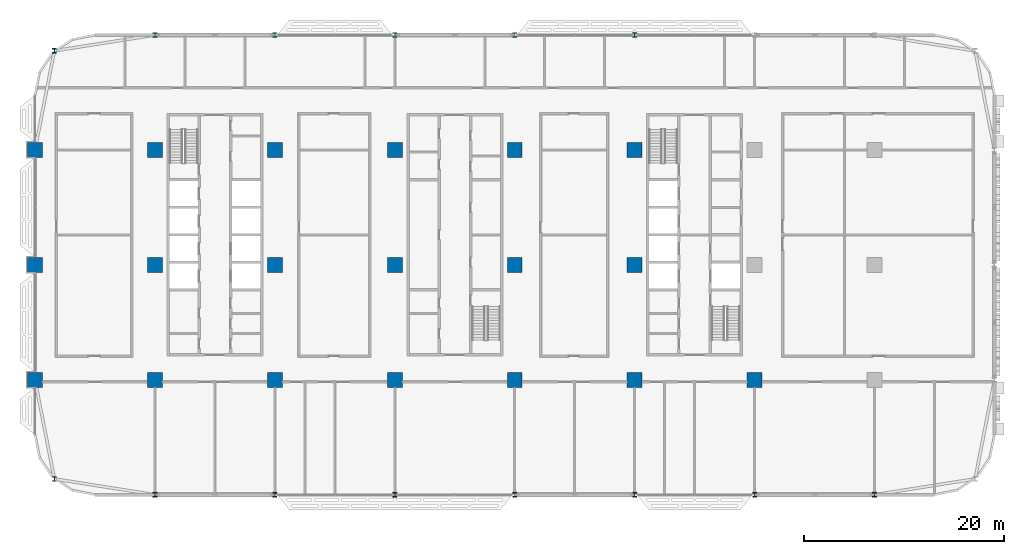
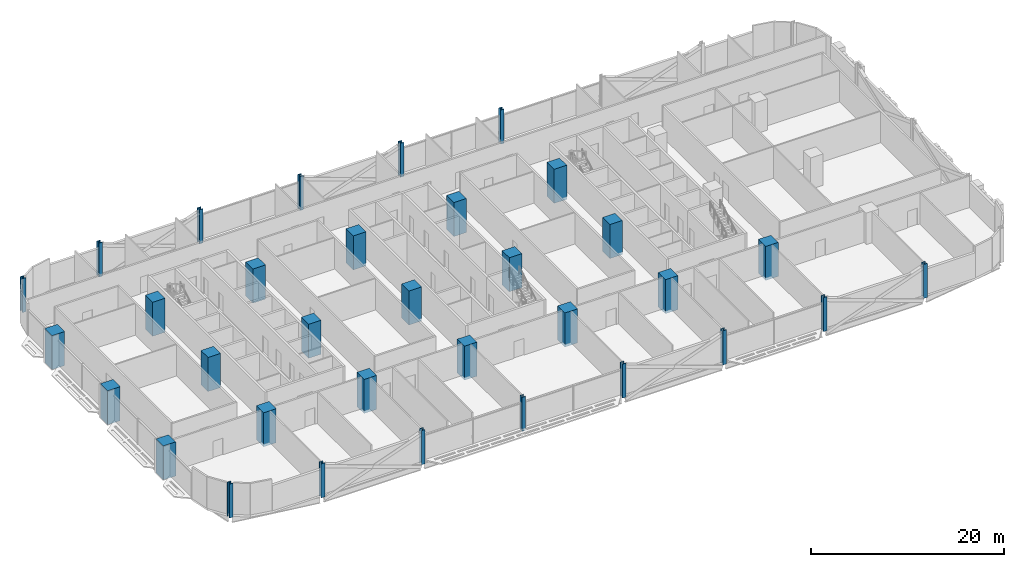
# One storey, part 1 of 29: 33 columns.
"""IFC4 building model written with IfcOpenShell, lengths in metres."""

from ifc_helpers import new_model, si_unit, direction, frame, origin, origin_2d, place, context, subcontext, project, spatial, rectangle, i_section, extrude, material, material_profile, profile_set, type_object, element, save


model = new_model("IFC4")

# Units and contexts
model_context = context("Model", 3, precision=1e-05, world=origin(), true_north=direction((0.0, 1.0)))
body_context = subcontext(model_context, "Body", "Model", "MODEL_VIEW")
ifc_project = project(units=[si_unit("LENGTHUNIT", "METRE"), si_unit("AREAUNIT", "SQUARE_METRE"), si_unit("VOLUMEUNIT", "CUBIC_METRE"), si_unit("PLANEANGLEUNIT", "RADIAN"), si_unit("MASSUNIT", "GRAM", prefix="KILO")], contexts=[model_context])

# Site, building, storey
site_placement = place(None, origin())
site = spatial("IfcSite", under=ifc_project, at=site_placement, CompositionType="ELEMENT")
building_placement = place(site_placement, origin())
building = spatial("IfcBuilding", under=site, at=building_placement, Name="Mahtab Terrace Research Tower", CompositionType="ELEMENT")
storey_placement = place(building_placement, frame((0.0, 0.0, 58.89990234375)))
storey = spatial("IfcBuildingStorey", under=building, at=storey_placement, Name="L13", CompositionType="ELEMENT", Elevation=58.89990234375)

# Columns
ifc_material_1 = material(Name="Concrete C70/85", Category="concrete")
ifc_material_profile_1 = material_profile(ifc_material_1, rectangle(XDim=1.5, YDim=1.5, at=origin_2d()), Name="RC column 1500x1500")
ifc_profile_set_1 = profile_set([ifc_material_profile_1], Name="Concrete C70/85")
column_type_1 = type_object("IfcColumnType", Name="RC column 1500x1500", PredefinedType="COLUMN", material=ifc_profile_set_1)
for number, where, z_axis, x_axis, name in (
    (1, (-42.0, -11.5, -0.33984375), (0.0, 0.0, 1.0), (1.0, 0.0, 0.0), "Column RC-1A L13"),
    (2, (-42.0, 0.0, -0.33984375), (0.0, 0.0, 1.0), (1.0, 0.0, 0.0), "Column RC-1B L13"),
    (3, (-42.0, 11.5, -0.33984375), (0.0, 0.0, 1.0), (1.0, 0.0, 0.0), "Column RC-1C L13"),
    (4, (-30.0, -11.5, -0.33984375), (0.0, 0.0, 1.0), (1.0, 0.0, 0.0), "Column RC-2A L13"),
    (5, (-30.0, 0.0, -0.33984375), (0.0, 0.0, 1.0), (1.0, 0.0, 0.0), "Column RC-2B L13"),
    (6, (-30.0, 11.5, -0.33984375), (0.0, 0.0, 1.0), (1.0, 0.0, 0.0), "Column RC-2C L13"),
    (7, (-18.0, -11.5, -0.33984375), (0.0, 0.0, 1.0), (1.0, 0.0, 0.0), "Column RC-3A L13"),
    (8, (-18.0, 0.0, -0.33984375), (0.0, 0.0, 1.0), (1.0, 0.0, 0.0), "Column RC-3B L13"),
    (9, (-18.0, 11.5, -0.33984375), (0.0, 0.0, 1.0), (1.0, 0.0, 0.0), "Column RC-3C L13"),
    (10, (-6.0, -11.5, -0.33984375), (0.0, 0.0, 1.0), (1.0, 0.0, 0.0), "Column RC-4A L13"),
    (11, (-6.0, 0.0, -0.33984375), (0.0, 0.0, 1.0), (1.0, 0.0, 0.0), "Column RC-4B L13"),
    (12, (-6.0, 11.5, -0.33984375), (0.0, 0.0, 1.0), (1.0, 0.0, 0.0), "Column RC-4C L13"),
    (13, (6.0, -11.5, -0.33984375), (0.0, 0.0, 1.0), (1.0, 0.0, 0.0), "Column RC-5A L13"),
    (14, (6.0, 0.0, -0.33984375), (0.0, 0.0, 1.0), (1.0, 0.0, 0.0), "Column RC-5B L13"),
    (15, (6.0, 11.5, -0.33984375), (0.0, 0.0, 1.0), (1.0, 0.0, 0.0), "Column RC-5C L13"),
    (16, (18.0, -11.5, -0.33984375), (0.0, 0.0, 1.0), (1.0, 0.0, 0.0), "Column RC-6A L13"),
    (17, (18.0, 0.0, -0.33984375), (0.0, 0.0, 1.0), (1.0, 0.0, 0.0), "Column RC-6B L13"),
    (18, (18.0, 11.5, -0.33984375), (0.0, 0.0, 1.0), (1.0, 0.0, 0.0), "Column RC-6C L13"),
    (19, (30.0, -11.5, -0.33984375), (0.0, 0.0, 1.0), (1.0, 0.0, 0.0), "Column RC-7A L13"),
):
    element("IfcColumn", number, at=place(storey_placement, frame(where, z_axis=z_axis, x_axis=x_axis)), inside=storey, type_object=column_type_1, Name=name, PredefinedType="COLUMN", context=body_context, shape_type="SweptSolid", body=[
        extrude(rectangle(XDim=1.5, YDim=1.5, at=origin_2d()), origin(), (0.0, 0.0, 1.0), 4.300048828125),
    ])
ifc_material_2 = material(Name="Steel ASTM A992 Gr 50", Category="steel")
ifc_material_profile_2 = material_profile(ifc_material_2, i_section(OverallWidth=0.42431640625, OverallDepth=0.47509765625, WebThickness=0.0478515625, FlangeThickness=0.0771484375, at=origin_2d()), Name="W14X426")
ifc_profile_set_2 = profile_set([ifc_material_profile_2], Name="Steel ASTM A992 Gr 50")
column_type_2 = type_object("IfcColumnType", Name="W14x426 column CS14426", PredefinedType="COLUMN", material=ifc_profile_set_2)
for number, where, z_axis, x_axis, name in (
    (20, (18.0, 23.0, -0.33984375), (0.0, 0.0, 1.0), (1.0, 0.0, 0.0), "Column SC-003 L13"),
    (21, (6.0, 23.0, -0.33984375), (0.0, 0.0, 1.0), (1.0, 0.0, 0.0), "Column SC-004 L13"),
    (22, (-6.0, 23.0, -0.33984375), (0.0, 0.0, 1.0), (1.0, 0.0, 0.0), "Column SC-005 L13"),
    (23, (-18.0, 23.0, -0.33984375), (0.0, 0.0, 1.0), (1.0, 0.0, 0.0), "Column SC-006 L13"),
    (24, (-30.0, 23.0, -0.33984375), (0.0, 0.0, 1.0), (1.0, 0.0, 0.0), "Column SC-007 L13"),
    (25, (-40.06201171875, 21.416015625, -0.33984375), (0.0, 0.0, 1.0), (1.0, 0.0, 0.0), "Column SC-024 L13"),
    (26, (-40.06201171875, -21.416015625, -0.33984375), (0.0, 0.0, 1.0), (1.0, 0.0, 0.0), "Column SC-025 L13"),
    (27, (-30.0, -23.0, -0.33984375), (0.0, 0.0, 1.0), (1.0, 0.0, 0.0), "Column SC-013 L13"),
    (28, (-18.0, -23.0, -0.33984375), (0.0, 0.0, 1.0), (1.0, 0.0, 0.0), "Column SC-014 L13"),
    (29, (-6.0, -23.0, -0.33984375), (0.0, 0.0, 1.0), (1.0, 0.0, 0.0), "Column SC-015 L13"),
    (30, (6.0, -23.0, -0.33984375), (0.0, 0.0, 1.0), (1.0, 0.0, 0.0), "Column SC-016 L13"),
    (31, (18.0, -23.0, -0.33984375), (0.0, 0.0, 1.0), (1.0, 0.0, 0.0), "Column SC-017 L13"),
    (32, (30.0, -23.0, -0.33984375), (0.0, 0.0, 1.0), (1.0, 0.0, 0.0), "Column SC-018 L13"),
    (33, (42.0, -23.0, -0.33984375), (0.0, 0.0, 1.0), (1.0, 0.0, 0.0), "Column SC-019 L13"),
):
    element("IfcColumn", number, at=place(storey_placement, frame(where, z_axis=z_axis, x_axis=x_axis)), inside=storey, type_object=column_type_2, Name=name, PredefinedType="COLUMN", context=body_context, shape_type="SweptSolid", body=[
        extrude(i_section(OverallWidth=0.42431640625, OverallDepth=0.47509765625, WebThickness=0.0478515625, FlangeThickness=0.0771484375, at=origin_2d()), origin(), (0.0, 0.0, 1.0), 4.300048828125),
    ])

save(model, "model.ifc")
